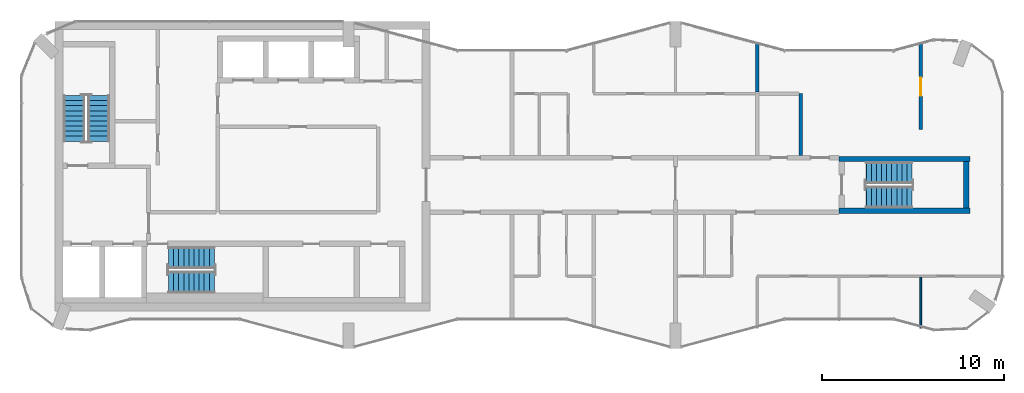
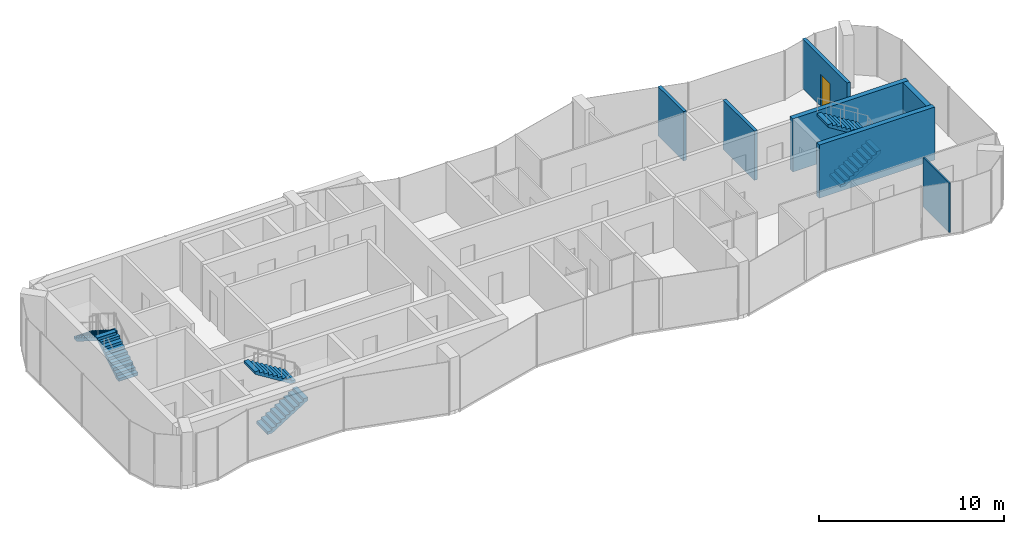
# One storey, part 9 of 10: 7 walls, 6 stair flights, 1 door, 1 opening, 3 elements without a shape of their own.
"""IFC4 building model written with IfcOpenShell, lengths in metres."""

from ifc_helpers import new_model, si_unit, direction, frame, frame_2d, origin, place, context, subcontext, project, spatial, polyline, rectangle, outline, extrude, material, layer, layer_set, type_object, element, fill, aggregate, save


model = new_model("IFC4")

# Units and contexts
model_context = context("Model", 3, precision=1e-05, world=origin(), true_north=direction((0.0, 1.0)))
body_context = subcontext(model_context, "Body", "Model", "MODEL_VIEW")
ifc_project = project(units=[si_unit("LENGTHUNIT", "METRE"), si_unit("AREAUNIT", "SQUARE_METRE"), si_unit("VOLUMEUNIT", "CUBIC_METRE"), si_unit("PLANEANGLEUNIT", "RADIAN"), si_unit("MASSUNIT", "GRAM", prefix="KILO")], contexts=[model_context])

# Site, building, storey
site_placement = place(None, origin())
site = spatial("IfcSite", under=ifc_project, at=site_placement, CompositionType="ELEMENT")
building_placement = place(site_placement, origin())
building = spatial("IfcBuilding", under=site, at=building_placement, Name="Plateau Cross Towers", CompositionType="ELEMENT")
storey_placement = place(building_placement, frame((0.0, 0.0, 277.39990234375)))
storey = spatial("IfcBuildingStorey", under=building, at=storey_placement, Name="L73", CompositionType="ELEMENT", Elevation=277.39990234375)

# Walls
ifc_material_1 = material(Name="Gypsum board on steel studs", Category="steel")
ifc_layer_1 = layer(ifc_material_1, 0.10009765625)
ifc_layer_set_1 = layer_set([ifc_layer_1], Name="Gypsum board on steel studs")
wall_type_1 = type_object("IfcWallType", Name="Flat partition 100", PredefinedType="PARTITIONING", material=ifc_layer_set_1)
wall_1_placement = place(storey_placement, frame((49.5, 1.122314453125, 0.0), z_axis=(0.0, 0.0, 1.0), x_axis=(0.0, 1.0, 0.0)))
element("IfcWall", 1, at=wall_1_placement, inside=storey, type_object=wall_type_1, Name="Partition wall", PredefinedType="PARTITIONING", context=body_context, shape_type="SweptSolid", body=[
    extrude(rectangle(XDim=2.802734375, YDim=0.10009765625, at=frame_2d((1.4013671875, 0.0))), origin(), (0.0, 0.0, 1.0), 3.25),
])
ifc_material_2 = material(Name="Gypsum board on steel studs, two layers each side", Category="steel")
ifc_layer_2 = layer(ifc_material_2, 0.199951171875)
ifc_layer_set_2 = layer_set([ifc_layer_2], Name="Gypsum board on steel studs, two layers each side")
wall_type_2 = type_object("IfcWallType", Name="Flat party wall 200", PredefinedType="PARTITIONING", material=ifc_layer_set_2)
wall_2_placement = place(storey_placement, frame((40.5, 14.125, 0.0), z_axis=(0.0, 0.0, 1.0), x_axis=(0.0, 1.0, 0.0)))
element("IfcWall", 2, at=wall_2_placement, inside=storey, type_object=wall_type_2, Name="Party wall", PredefinedType="PARTITIONING", context=body_context, shape_type="SweptSolid", body=[
    extrude(rectangle(XDim=2.752685546875, YDim=0.199951171875, at=frame_2d((1.37646484375, 0.0))), origin(), (0.0, 0.0, 1.0), 3.25),
])
wall_3_placement = place(storey_placement, frame((42.89990234375, 10.625, 0.0), z_axis=(0.0, 0.0, 1.0), x_axis=(0.0, 1.0, 0.0)))
element("IfcWall", 3, at=wall_3_placement, inside=storey, type_object=wall_type_2, Name="Party wall", PredefinedType="PARTITIONING", context=body_context, shape_type="SweptSolid", body=[
    extrude(rectangle(XDim=3.39990234375, YDim=0.199951171875, at=frame_2d((1.699951171875, 0.0))), origin(), (0.0, 0.0, 1.0), 3.25),
])

# Wall, opening, door
wall_4_placement = place(storey_placement, frame((49.5, 12.050048828125, 0.0), z_axis=(0.0, 0.0, 1.0), x_axis=(0.0, 1.0, 0.0)))
wall_4 = element("IfcWall", 4, at=wall_4_placement, inside=storey, type_object=wall_type_2, Name="Party wall", PredefinedType="PARTITIONING", context=body_context, shape_type="SweptSolid", body=[
    extrude(rectangle(XDim=4.82763671875, YDim=0.199951171875, at=frame_2d((2.413818359375, 0.0))), origin(), (0.0, 0.0, 1.0), 3.25),
])
opening_placement = place(wall_4_placement, frame((1.85009765625, 0.0, 0.0)))
opening = element("IfcOpeningElement", 5, at=opening_placement, cuts=wall_4, Name="Opening 73-10", PredefinedType="OPENING", context=body_context, shape_type="SweptSolid", body=[
    extrude(rectangle(XDim=1.0, YDim=2.10009765625, at=frame_2d((0.5, 1.050048828125))), frame((0.0, 0.10986328125, 0.0), z_axis=(0.0, -1.0, 0.0), x_axis=(1.0, 0.0, 0.0)), (0.0, 0.0, 1.0), 0.219970703125),
])
ifc_material_3 = material(Name="Timber, fire-resisting leaf", Category="wood")
door_type = type_object("IfcDoorType", Name="Flat entrance door 1000", OperationType="NOTDEFINED", PredefinedType="DOOR", material=ifc_material_3)
door_placement = place(opening_placement, origin())
door = element("IfcDoor", 6, at=door_placement, inside=storey, type_object=door_type, Name="Door 73-10", OperationType="SINGLE_SWING_LEFT", OverallHeight=2.10009765625, OverallWidth=1.0, PredefinedType="DOOR", context=body_context, shape_type="SweptSolid", body=[
    extrude(rectangle(XDim=1.0, YDim=2.10009765625, at=frame_2d((0.5, 1.050048828125))), frame((0.0, 0.02490234375, 0.0), z_axis=(0.0, -1.0, 0.0), x_axis=(1.0, 0.0, 0.0)), (0.0, 0.0, 1.0), 0.050048828125),
])
fill(opening, door)

# Walls
ifc_material_4 = material(Name="Concrete C60/75", Category="concrete")
ifc_layer_3 = layer(ifc_material_4, 0.300048828125)
ifc_layer_set_3 = layer_set([ifc_layer_3], Name="Concrete C60/75")
wall_type_3 = type_object("IfcWallType", Name="Stair tower wall 300", PredefinedType="SHEAR", material=ifc_layer_set_3)
wall_5_placement = place(storey_placement, frame((52.0, 7.72509765625, 0.0), z_axis=(0.0, 0.0, 1.0), x_axis=(0.0, 1.0, 0.0)))
element("IfcWall", 7, at=wall_5_placement, inside=storey, type_object=wall_type_3, Name="A-end-E-E@L73", PredefinedType="SHEAR", context=body_context, shape_type="SweptSolid", body=[
    extrude(rectangle(XDim=2.5498046875, YDim=0.300048828125, at=frame_2d((1.27490234375, 0.0))), origin(), (0.0, 0.0, 1.0), 3.5),
])
for number, where, z_axis, x_axis, name in (
    (8, (45.0, 7.574951171875, 0.0), (0.0, 0.0, 1.0), (1.0, 0.0, 0.0), "A-end-E-S@L73"),
    (9, (45.0, 10.425048828125, 0.0), (0.0, 0.0, 1.0), (1.0, 0.0, 0.0), "A-end-E-N@L73"),
):
    element("IfcWall", number, at=place(storey_placement, frame(where, z_axis=z_axis, x_axis=x_axis)), inside=storey, type_object=wall_type_3, Name=name, PredefinedType="SHEAR", context=body_context, shape_type="SweptSolid", body=[
        extrude(rectangle(XDim=7.199951171875, YDim=0.300048828125, at=frame_2d((3.60009765625, 0.0))), origin(), (0.0, 0.0, 1.0), 3.5),
    ])

# Stair, stair flights
ifc_material_5 = material(Name="Concrete C40/50", Category="concrete")
stair_type = type_object("IfcStairType", Name="ST-TWR", PredefinedType="HALF_TURN_STAIR", material=ifc_material_5)
stair_1_placement = place(storey_placement, origin())
stair_1 = element("IfcStair", 10, at=stair_1_placement, inside=storey, type_object=stair_type, Name="L73 Protected Exit Stair ST-1", PredefinedType="HALF_TURN_STAIR")
stair_flight_type = type_object("IfcStairFlightType", Name="SFL-RC", PredefinedType="STRAIGHT", material=ifc_material_5)
stair_flight_1_placement = place(storey_placement, frame((4.25, 11.39990234375, 0.0), z_axis=(0.0, 0.0, 1.0), x_axis=(0.0, 1.0, 0.0)))
stair_flight_1 = element("IfcStairFlight", 11, at=stair_flight_1_placement, type_object=stair_flight_type, Name="ST-1 flight 1", NumberOfRisers=10, NumberOfTreads=9, PredefinedType="STRAIGHT", RiserHeight=0.175, TreadLength=0.28, context=body_context, shape_type="SweptSolid", body=[
    extrude(outline(polyline([(-0.0048828125, -0.010009765625), (-0.0048828125, 0.0), (0.0, 0.0), (0.0, 0.175048828125), (0.280029296875, 0.175048828125), (0.280029296875, 0.35009765625), (0.56005859375, 0.35009765625), (0.56005859375, 0.52490234375), (0.840087890625, 0.52490234375), (0.840087890625, 0.699951171875), (1.1201171875, 0.699951171875), (1.1201171875, 0.875), (1.39990234375, 0.875), (1.39990234375, 1.050048828125), (1.679931640625, 1.050048828125), (1.679931640625, 1.22509765625), (1.9599609375, 1.22509765625), (1.9599609375, 1.39990234375), (2.239990234375, 1.39990234375), (2.239990234375, 1.574951171875), (2.52001953125, 1.574951171875), (2.52490234375, 1.56494140625), (2.52490234375, 1.398193359375), (2.52001953125, 1.398193359375), (0.28271484375, 0.0), (0.02001953125, 0.0), (0.02001953125, -0.010009765625), (-0.0048828125, -0.010009765625)])), frame((0.0, 0.60009765625, 0.0), z_axis=(0.0, -1.0, 0.0), x_axis=(1.0, 0.0, 0.0)), (0.0, 0.0, 1.0), 1.199951171875),
])
stair_flight_2_placement = place(storey_placement, frame((2.89990234375, 13.919921875, 1.75), z_axis=(0.0, 0.0, 1.0), x_axis=(0.0, -1.0, 0.0)))
stair_flight_2 = element("IfcStairFlight", 12, at=stair_flight_2_placement, type_object=stair_flight_type, Name="ST-1 flight 2", NumberOfRisers=10, NumberOfTreads=9, PredefinedType="STRAIGHT", RiserHeight=0.175, TreadLength=0.28, context=body_context, shape_type="SweptSolid", body=[
    extrude(outline(polyline([(-0.0048828125, -0.010009765625), (-0.0048828125, 0.0), (0.0, 0.0), (0.0, 0.175048828125), (0.280029296875, 0.175048828125), (0.280029296875, 0.35009765625), (0.56005859375, 0.35009765625), (0.56005859375, 0.52490234375), (0.840087890625, 0.52490234375), (0.840087890625, 0.699951171875), (1.1201171875, 0.699951171875), (1.1201171875, 0.875), (1.39990234375, 0.875), (1.39990234375, 1.050048828125), (1.679931640625, 1.050048828125), (1.679931640625, 1.22509765625), (1.9599609375, 1.22509765625), (1.9599609375, 1.39990234375), (2.239990234375, 1.39990234375), (2.239990234375, 1.574951171875), (2.52001953125, 1.574951171875), (2.52490234375, 1.56494140625), (2.52490234375, 1.398193359375), (2.52001953125, 1.398193359375), (0.28271484375, 0.0), (0.02001953125, 0.0), (0.02001953125, -0.010009765625), (-0.0048828125, -0.010009765625)])), frame((0.0, 0.60009765625, 0.0), z_axis=(0.0, -1.0, 0.0), x_axis=(1.0, 0.0, 0.0)), (0.0, 0.0, 1.0), 1.199951171875),
])
aggregate(stair_1, [stair_flight_1, stair_flight_2])

stair_2_placement = place(storey_placement, origin())
stair_2 = element("IfcStair", 13, at=stair_2_placement, inside=storey, type_object=stair_type, Name="L73 Protected Exit Stair ST-2", PredefinedType="HALF_TURN_STAIR")
stair_flight_3_placement = place(storey_placement, frame((8.10009765625, 3.64990234375, 0.0), z_axis=(0.0, 0.0, 1.0), x_axis=(1.0, 0.0, 0.0)))
stair_flight_3 = element("IfcStairFlight", 14, at=stair_flight_3_placement, type_object=stair_flight_type, Name="ST-2 flight 1", NumberOfRisers=10, NumberOfTreads=9, PredefinedType="STRAIGHT", RiserHeight=0.175, TreadLength=0.28, context=body_context, shape_type="SweptSolid", body=[
    extrude(outline(polyline([(-0.0048828125, -0.010009765625), (-0.0048828125, 0.0), (0.0, 0.0), (0.0, 0.175048828125), (0.280029296875, 0.175048828125), (0.280029296875, 0.35009765625), (0.56005859375, 0.35009765625), (0.56005859375, 0.52490234375), (0.840087890625, 0.52490234375), (0.840087890625, 0.699951171875), (1.1201171875, 0.699951171875), (1.1201171875, 0.875), (1.39990234375, 0.875), (1.39990234375, 1.050048828125), (1.679931640625, 1.050048828125), (1.679931640625, 1.22509765625), (1.9599609375, 1.22509765625), (1.9599609375, 1.39990234375), (2.239990234375, 1.39990234375), (2.239990234375, 1.574951171875), (2.52001953125, 1.574951171875), (2.52490234375, 1.56494140625), (2.52490234375, 1.398193359375), (2.52001953125, 1.398193359375), (0.28271484375, 0.0), (0.02001953125, 0.0), (0.02001953125, -0.010009765625), (-0.0048828125, -0.010009765625)])), frame((0.0, 0.60009765625, 0.0), z_axis=(0.0, -1.0, 0.0), x_axis=(1.0, 0.0, 0.0)), (0.0, 0.0, 1.0), 1.199951171875),
])
stair_flight_4_placement = place(storey_placement, frame((10.6201171875, 5.0, 1.75), z_axis=(0.0, 0.0, 1.0), x_axis=(-1.0, 0.0, 0.0)))
stair_flight_4 = element("IfcStairFlight", 15, at=stair_flight_4_placement, type_object=stair_flight_type, Name="ST-2 flight 2", NumberOfRisers=10, NumberOfTreads=9, PredefinedType="STRAIGHT", RiserHeight=0.175, TreadLength=0.28, context=body_context, shape_type="SweptSolid", body=[
    extrude(outline(polyline([(-0.0048828125, -0.010009765625), (-0.0048828125, 0.0), (0.0, 0.0), (0.0, 0.175048828125), (0.280029296875, 0.175048828125), (0.280029296875, 0.35009765625), (0.56005859375, 0.35009765625), (0.56005859375, 0.52490234375), (0.840087890625, 0.52490234375), (0.840087890625, 0.699951171875), (1.1201171875, 0.699951171875), (1.1201171875, 0.875), (1.39990234375, 0.875), (1.39990234375, 1.050048828125), (1.679931640625, 1.050048828125), (1.679931640625, 1.22509765625), (1.9599609375, 1.22509765625), (1.9599609375, 1.39990234375), (2.239990234375, 1.39990234375), (2.239990234375, 1.574951171875), (2.52001953125, 1.574951171875), (2.52490234375, 1.56494140625), (2.52490234375, 1.398193359375), (2.52001953125, 1.398193359375), (0.28271484375, 0.0), (0.02001953125, 0.0), (0.02001953125, -0.010009765625), (-0.0048828125, -0.010009765625)])), frame((0.0, 0.60009765625, 0.0), z_axis=(0.0, -1.0, 0.0), x_axis=(1.0, 0.0, 0.0)), (0.0, 0.0, 1.0), 1.199951171875),
])
aggregate(stair_2, [stair_flight_3, stair_flight_4])

stair_3_placement = place(storey_placement, origin())
stair_3 = element("IfcStair", 16, at=stair_3_placement, inside=storey, type_object=stair_type, Name="L73 Protected Exit Stair E", PredefinedType="HALF_TURN_STAIR")
stair_flight_5_placement = place(storey_placement, frame((46.5, 8.324951171875, 0.0), z_axis=(0.0, 0.0, 1.0), x_axis=(1.0, 0.0, 0.0)))
stair_flight_5 = element("IfcStairFlight", 17, at=stair_flight_5_placement, type_object=stair_flight_type, Name="ES-E flight 1", NumberOfRisers=10, NumberOfTreads=9, PredefinedType="STRAIGHT", RiserHeight=0.175, TreadLength=0.28, context=body_context, shape_type="SweptSolid", body=[
    extrude(outline(polyline([(-0.0048828125, -0.010009765625), (-0.0048828125, 0.0), (0.0, 0.0), (0.0, 0.175048828125), (0.280029296875, 0.175048828125), (0.280029296875, 0.35009765625), (0.56005859375, 0.35009765625), (0.56005859375, 0.52490234375), (0.840087890625, 0.52490234375), (0.840087890625, 0.699951171875), (1.1201171875, 0.699951171875), (1.1201171875, 0.875), (1.39990234375, 0.875), (1.39990234375, 1.050048828125), (1.679931640625, 1.050048828125), (1.679931640625, 1.22509765625), (1.9599609375, 1.22509765625), (1.9599609375, 1.39990234375), (2.239990234375, 1.39990234375), (2.239990234375, 1.574951171875), (2.52001953125, 1.574951171875), (2.52490234375, 1.56494140625), (2.52490234375, 1.398193359375), (2.52001953125, 1.398193359375), (0.28271484375, 0.0), (0.02001953125, 0.0), (0.02001953125, -0.010009765625), (-0.0048828125, -0.010009765625)])), frame((0.0, 0.60009765625, 0.0), z_axis=(0.0, -1.0, 0.0), x_axis=(1.0, 0.0, 0.0)), (0.0, 0.0, 1.0), 1.199951171875),
])
stair_flight_6_placement = place(storey_placement, frame((49.02001953125, 9.675048828125, 1.75), z_axis=(0.0, 0.0, 1.0), x_axis=(-1.0, 0.0, 0.0)))
stair_flight_6 = element("IfcStairFlight", 18, at=stair_flight_6_placement, type_object=stair_flight_type, Name="ES-E flight 2", NumberOfRisers=10, NumberOfTreads=9, PredefinedType="STRAIGHT", RiserHeight=0.175, TreadLength=0.28, context=body_context, shape_type="SweptSolid", body=[
    extrude(outline(polyline([(-0.0048828125, -0.010009765625), (-0.0048828125, 0.0), (0.0, 0.0), (0.0, 0.175048828125), (0.280029296875, 0.175048828125), (0.280029296875, 0.35009765625), (0.56005859375, 0.35009765625), (0.56005859375, 0.52490234375), (0.840087890625, 0.52490234375), (0.840087890625, 0.699951171875), (1.1201171875, 0.699951171875), (1.1201171875, 0.875), (1.39990234375, 0.875), (1.39990234375, 1.050048828125), (1.679931640625, 1.050048828125), (1.679931640625, 1.22509765625), (1.9599609375, 1.22509765625), (1.9599609375, 1.39990234375), (2.239990234375, 1.39990234375), (2.239990234375, 1.574951171875), (2.52001953125, 1.574951171875), (2.52490234375, 1.56494140625), (2.52490234375, 1.398193359375), (2.52001953125, 1.398193359375), (0.28271484375, 0.0), (0.02001953125, 0.0), (0.02001953125, -0.010009765625), (-0.0048828125, -0.010009765625)])), frame((0.0, 0.60009765625, 0.0), z_axis=(0.0, -1.0, 0.0), x_axis=(1.0, 0.0, 0.0)), (0.0, 0.0, 1.0), 1.199951171875),
])
aggregate(stair_3, [stair_flight_5, stair_flight_6])

save(model, "model.ifc")
